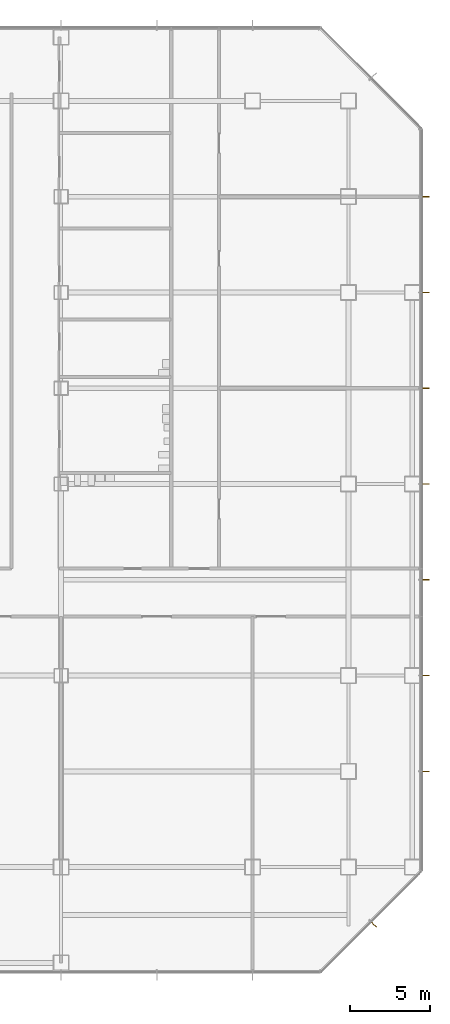
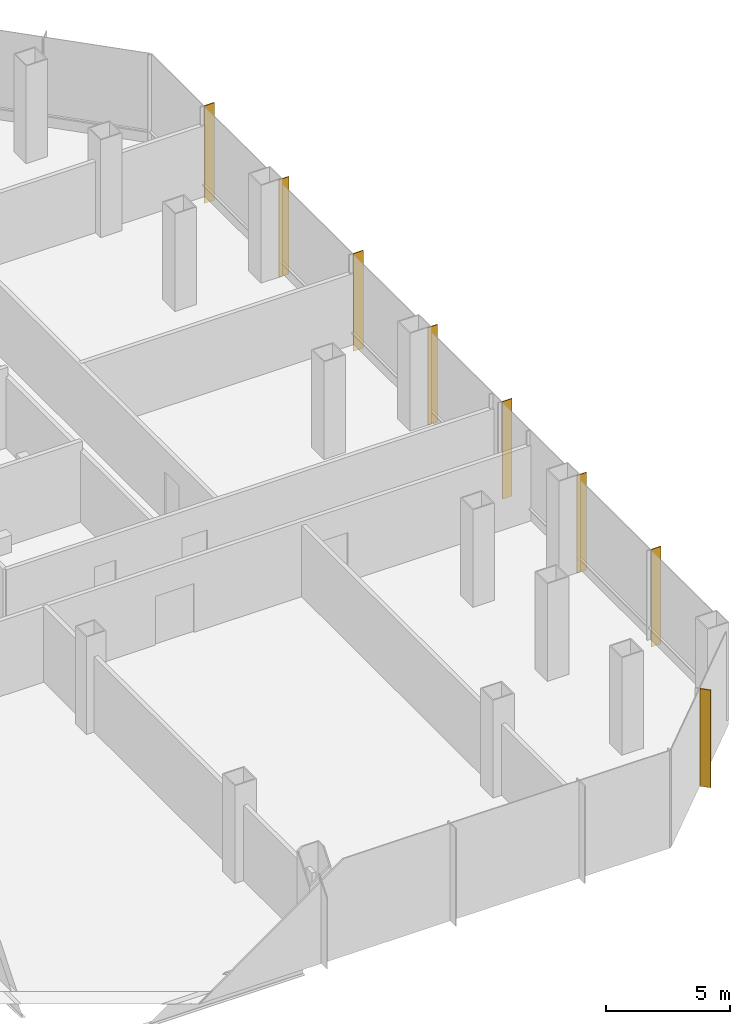
# One storey, part 31 of 33: 8 shading devices.
"""IFC4 building model written with IfcOpenShell, lengths in metres."""

from ifc_helpers import new_model, si_unit, direction, frame, origin, origin_2d, place, context, subcontext, project, spatial, rectangle, extrude, material, material_profile, profile_set, type_object, element, save


model = new_model("IFC4")

# Units and contexts
model_context = context("Model", 3, precision=1e-05, world=origin(), true_north=direction((0.0, 1.0)))
body_context = subcontext(model_context, "Body", "Model", "MODEL_VIEW")
ifc_project = project(units=[si_unit("LENGTHUNIT", "METRE"), si_unit("AREAUNIT", "SQUARE_METRE"), si_unit("VOLUMEUNIT", "CUBIC_METRE"), si_unit("PLANEANGLEUNIT", "RADIAN"), si_unit("MASSUNIT", "GRAM", prefix="KILO")], contexts=[model_context])

# Site, building, storey
site_placement = place(None, origin())
site = spatial("IfcSite", under=ifc_project, at=site_placement, CompositionType="ELEMENT")
building_placement = place(site_placement, origin())
building = spatial("IfcBuilding", under=site, at=building_placement, Name="Sorahane Residences", CompositionType="ELEMENT")
storey_placement = place(building_placement, frame((0.0, 0.0, 30.0)))
storey = spatial("IfcBuildingStorey", under=building, at=storey_placement, Name="L04", CompositionType="ELEMENT", Elevation=30.0)

# Shading devices
ifc_material = material(Name="Terracotta anodised aluminium", Category="masonry")
ifc_material_profile = material_profile(ifc_material, rectangle(XDim=0.449951171875, YDim=0.0400390625, at=origin_2d()), Name="Podium vertical fin terracotta anodised aluminium 450x40")
ifc_profile_set = profile_set([ifc_material_profile], Name="Terracotta anodised aluminium")
shading_device_type = type_object("IfcShadingDeviceType", Name="Podium vertical fin terracotta anodised aluminium 450x40", PredefinedType="USERDEFINED", material=ifc_profile_set)
for number, where, z_axis, x_axis, name in (
    (1, (67.597412109375, -3.597412109375, -0.39990234375), (0.0, 0.0, 1.0), (0.707106781187, -0.707106781187, 0.0), "Podium vertical fin L04 SE1.1"),
    (2, (70.844970703125, 6.0, -0.39990234375), (0.0, 0.0, 1.0), (1.0, 0.0, 0.0), "Podium vertical fin L04 E1.1"),
    (3, (70.844970703125, 12.0, -0.39990234375), (0.0, 0.0, 1.0), (1.0, 0.0, 0.0), "Podium vertical fin L04 E1.2"),
    (4, (70.844970703125, 18.0, -0.39990234375), (0.0, 0.0, 1.0), (1.0, 0.0, 0.0), "Podium vertical fin L04 E1.3"),
    (5, (70.844970703125, 24.0, -0.39990234375), (0.0, 0.0, 1.0), (1.0, 0.0, 0.0), "Podium vertical fin L04 E1.4"),
    (6, (70.844970703125, 30.0, -0.39990234375), (0.0, 0.0, 1.0), (1.0, 0.0, 0.0), "Podium vertical fin L04 E1.5"),
    (7, (70.844970703125, 36.0, -0.39990234375), (0.0, 0.0, 1.0), (1.0, 0.0, 0.0), "Podium vertical fin L04 E1.6"),
    (8, (70.844970703125, 42.0, -0.39990234375), (0.0, 0.0, 1.0), (1.0, 0.0, 0.0), "Podium vertical fin L04 E1.7"),
):
    element("IfcShadingDevice", number, at=place(storey_placement, frame(where, z_axis=z_axis, x_axis=x_axis)), inside=storey, type_object=shading_device_type, Name=name, ObjectType="Vertical fin", PredefinedType="USERDEFINED", context=body_context, shape_type="SweptSolid", body=[
        extrude(rectangle(XDim=0.449951171875, YDim=0.0400390625, at=origin_2d()), origin(), (0.0, 0.0, 1.0), 4.7998046875),
    ])

save(model, "model.ifc")
